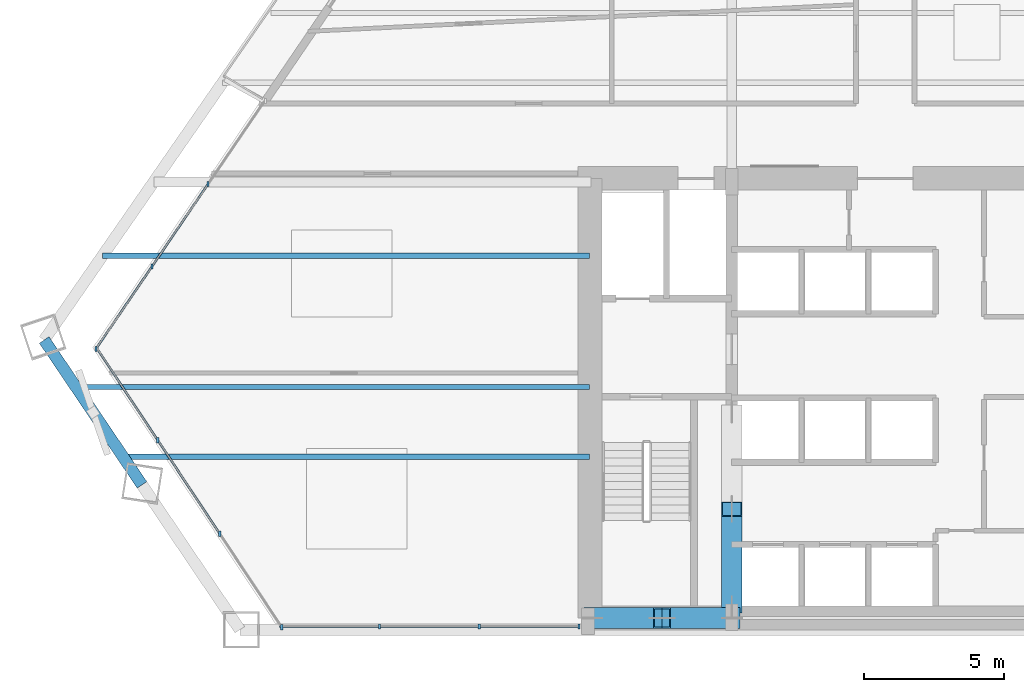
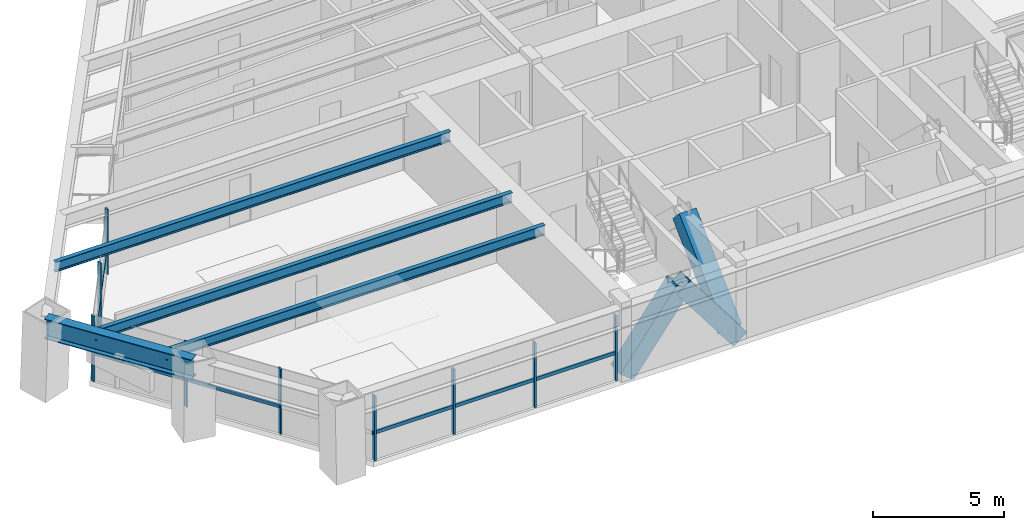
# One storey, part 2 of 14: 19 members, 4 beams, 3 elements without a shape of their own.
"""IFC4 building model written with IfcOpenShell, lengths in metres."""

from ifc_helpers import new_model, si_unit, direction, frame, origin, origin_2d, place, context, subcontext, project, spatial, rectangle, hollow_rectangle, i_section, extrude, source, transform, mapped, material, material_profile, profile_set, type_object, type_shapes, element, aggregate, save


model = new_model("IFC4")

# Units and contexts
model_context = context("Model", 3, precision=1e-05, world=origin(), true_north=direction((0.0, 1.0)))
body_context = subcontext(model_context, "Body", "Model", "MODEL_VIEW")
ifc_project = project(units=[si_unit("LENGTHUNIT", "METRE"), si_unit("AREAUNIT", "SQUARE_METRE"), si_unit("VOLUMEUNIT", "CUBIC_METRE"), si_unit("PLANEANGLEUNIT", "RADIAN"), si_unit("MASSUNIT", "GRAM", prefix="KILO")], contexts=[model_context])

# Site, building, storey
site_placement = place(None, origin())
site = spatial("IfcSite", under=ifc_project, at=site_placement, CompositionType="ELEMENT")
building_placement = place(site_placement, origin())
building = spatial("IfcBuilding", under=site, at=building_placement, Name="Varnakhor Terracotta Tower", CompositionType="ELEMENT")
storey_placement = place(building_placement, frame((0.0, 0.0, 60.800048828125)))
storey = spatial("IfcBuildingStorey", under=building, at=storey_placement, Name="L14", CompositionType="ELEMENT", Elevation=60.800048828125)

# Members
ifc_material_1 = material(Name="Steel S460", Category="steel")
ifc_material_profile_1 = material_profile(ifc_material_1, hollow_rectangle(XDim=0.75, YDim=0.75, WallThickness=0.044921875, at=origin_2d()), Name="HSS750X750X45")
ifc_profile_set_1 = profile_set([ifc_material_profile_1], Name="Steel S460")
member_type_1 = type_object("IfcMemberType", Name="MBR-MEGA-750", PredefinedType="BRACE", material=ifc_profile_set_1)
shared_shape_1 = source(origin(), body_context, "Body", "SweptSolid", [
    extrude(hollow_rectangle(XDim=0.75, YDim=0.75, WallThickness=0.044921875, at=origin_2d()), origin(), (0.0, 0.0, 1.0), 4.14013671875),
])
type_shapes(member_type_1, [shared_shape_1])
for number, where, z_axis, x_axis, name in (
    (1, (-10.5, 0.419921875, 0.0), (0.603852011179, 0.0, 0.797096448741), (0.0, 1.0, 0.0), "L14 Core Coupled Brace CSWA"),
    (2, (-5.5, 0.419921875, 0.0), (-0.603852011179, 0.0, 0.797096448741), (0.0, -1.0, 0.0), "L14 Core Coupled Brace CSWB"),
):
    element("IfcMember", number, at=place(storey_placement, frame(where, z_axis=z_axis, x_axis=x_axis)), inside=storey, type_object=member_type_1, Name=name, PredefinedType="BRACE", context=body_context, shape_type="MappedRepresentation", body=[
        mapped(shared_shape_1, transform((0.0, 0.0, 0.0), scale=1.0)),
    ])
shared_shape_2 = source(origin(), body_context, "Body", "SweptSolid", [
    extrude(hollow_rectangle(XDim=0.75, YDim=0.75, WallThickness=0.044921875, at=origin_2d()), origin(), (0.0, 0.0, 1.0), 4.792236328125),
])
member_1_placement = place(storey_placement, frame((-5.5, 0.85009765625, 0.0), z_axis=(0.0, 0.725110085518, 0.688632967466), x_axis=(-1.0, 0.0, 0.0)))
element("IfcMember", 3, at=member_1_placement, inside=storey, type_object=member_type_1, Name="L14 Core Coupled Brace CWWA", PredefinedType="BRACE", context=body_context, shape_type="MappedRepresentation", body=[
    mapped(shared_shape_2, transform((0.0, 0.0, 0.0), scale=1.0)),
])

# Beams
ifc_material_2 = material(Name="Steel S355", Category="steel")
ifc_material_profile_2 = material_profile(ifc_material_2, i_section(OverallWidth=0.41796875, OverallDepth=0.927001953125, WebThickness=0.01904296875, FlangeThickness=0.031982421875, FilletRadius=0.01806640625, at=origin_2d()), Name="W36X231")
ifc_profile_set_2 = profile_set([ifc_material_profile_2], Name="Steel S355")
beam_type_1 = type_object("IfcBeamType", Name="BM-W36X231", PredefinedType="BEAM", material=ifc_profile_set_2)
shared_shape_3 = source(origin(), body_context, "Body", "SweptSolid", [
    extrude(i_section(OverallWidth=0.41796875, OverallDepth=0.927001953125, WebThickness=0.01904296875, FlangeThickness=0.031982421875, FilletRadius=0.01806640625, at=origin_2d()), origin(), (0.0, 0.0, 1.0), 6.263671875),
])
beam_1_placement = place(storey_placement, frame((-30.135498046875, 10.3828125, 2.986572265625), z_axis=(0.55954782699, -0.828798063047, 0.0), x_axis=(0.828798063047, 0.55954782699, 0.0)))
element("IfcBeam", 4, at=beam_1_placement, inside=storey, type_object=beam_type_1, Name="L14 Perimeter Spandrel 7", PredefinedType="BEAM", context=body_context, shape_type="MappedRepresentation", body=[
    mapped(shared_shape_3, transform((0.0, 0.0, 0.0), scale=1.0)),
])
ifc_material_profile_3 = material_profile(ifc_material_2, i_section(OverallWidth=0.19189453125, OverallDepth=0.462890625, WebThickness=0.010498046875, FlangeThickness=0.017578125, FilletRadius=0.01806640625, at=origin_2d()), Name="W18X60")
ifc_profile_set_3 = profile_set([ifc_material_profile_3], Name="Steel S355")
beam_type_2 = type_object("IfcBeamType", Name="JST-W18X60", PredefinedType="JOIST", material=ifc_profile_set_3)
shared_shape_4 = source(origin(), body_context, "Body", "SweptSolid", [
    extrude(i_section(OverallWidth=0.19189453125, OverallDepth=0.462890625, WebThickness=0.010498046875, FlangeThickness=0.017578125, FilletRadius=0.01806640625, at=origin_2d()), origin(), (0.0, 0.0, 1.0), 16.71142578125),
])
beam_2_placement = place(storey_placement, frame((-27.3115234375, 6.199951171875, 3.218505859375), z_axis=(1.0, 0.0, 0.0), x_axis=(0.0, 1.0, 0.0)))
element("IfcBeam", 5, at=beam_2_placement, inside=storey, type_object=beam_type_2, Name="L14 Floor Joist W1", PredefinedType="JOIST", context=body_context, shape_type="MappedRepresentation", body=[
    mapped(shared_shape_4, transform((0.0, 0.0, 0.0), scale=1.0)),
])
shared_shape_5 = source(origin(), body_context, "Body", "SweptSolid", [
    extrude(i_section(OverallWidth=0.19189453125, OverallDepth=0.462890625, WebThickness=0.010498046875, FlangeThickness=0.017578125, FilletRadius=0.01806640625, at=origin_2d()), origin(), (0.0, 0.0, 1.0), 18.3994140625),
])
beam_3_placement = place(storey_placement, frame((-28.99951171875, 8.699951171875, 3.218505859375), z_axis=(1.0, 0.0, 0.0), x_axis=(0.0, 1.0, 0.0)))
element("IfcBeam", 6, at=beam_3_placement, inside=storey, type_object=beam_type_2, Name="L14 Floor Joist W2", PredefinedType="JOIST", context=body_context, shape_type="MappedRepresentation", body=[
    mapped(shared_shape_5, transform((0.0, 0.0, 0.0), scale=1.0)),
])
shared_shape_6 = source(origin(), body_context, "Body", "SweptSolid", [
    extrude(i_section(OverallWidth=0.19189453125, OverallDepth=0.462890625, WebThickness=0.010498046875, FlangeThickness=0.017578125, FilletRadius=0.01806640625, at=origin_2d()), origin(), (0.0, 0.0, 1.0), 17.4443359375),
])
beam_4_placement = place(storey_placement, frame((-28.04443359375, 13.39990234375, 3.218505859375), z_axis=(1.0, 0.0, 0.0), x_axis=(0.0, 1.0, 0.0)))
element("IfcBeam", 7, at=beam_4_placement, inside=storey, type_object=beam_type_2, Name="L14 Floor Joist W3", PredefinedType="JOIST", context=body_context, shape_type="MappedRepresentation", body=[
    mapped(shared_shape_6, transform((0.0, 0.0, 0.0), scale=1.0)),
])

# Curtain wall, members
ifc_material_3 = material(Name="Anodised Aluminium Curtain Wall System", Category="aluminium")
curtain_wall_type = type_object("IfcCurtainWallType", Name="CW-SYS-LOW-OFFICE", PredefinedType="NOTDEFINED", material=ifc_material_3)
curtain_wall_1_placement = place(storey_placement, origin())
curtain_wall_1 = element("IfcCurtainWall", 8, at=curtain_wall_1_placement, inside=storey, type_object=curtain_wall_type, Name="L14 W Facet Curtain Wall 1", PredefinedType="NOTDEFINED")
ifc_material_4 = material(Name="Anodised Aluminium 6063-T6", Category="aluminium")
ifc_material_profile_4 = material_profile(ifc_material_4, rectangle(XDim=0.074951171875, YDim=0.18505859375, at=origin_2d()), Name="ALU MULLION 75x185")
ifc_profile_set_4 = profile_set([ifc_material_profile_4], Name="Anodised Aluminium 6063-T6")
member_type_2 = type_object("IfcMemberType", Name="CWM-02", PredefinedType="MULLION", material=ifc_profile_set_4)
shared_shape_7 = source(origin(), body_context, "Body", "SweptSolid", [
    extrude(rectangle(XDim=0.074951171875, YDim=0.18505859375, at=origin_2d()), origin(), (0.0, 0.0, 1.0), 3.030029296875),
])
type_shapes(member_type_2, [shared_shape_7])
member_2_placement = place(storey_placement, frame((-28.28564453125, 10.055419921875, 0.0), z_axis=(0.0, 0.0, 1.0), x_axis=(1.0, 0.0, 0.0)))
member_2 = element("IfcMember", 9, at=member_2_placement, type_object=member_type_2, Name="L14 W Facet Curtain Wall 1 Mullion 1", PredefinedType="MULLION", context=body_context, shape_type="MappedRepresentation", body=[
    mapped(shared_shape_7, transform((0.0, 0.0, 0.0), scale=1.0)),
])
member_3_placement = place(storey_placement, frame((-26.272705078125, 13.015625, 0.0), z_axis=(0.0, 0.0, 1.0), x_axis=(1.0, 0.0, 0.0)))
member_3 = element("IfcMember", 10, at=member_3_placement, type_object=member_type_2, Name="L14 W Facet Curtain Wall 1 Mullion 2", PredefinedType="MULLION", context=body_context, shape_type="MappedRepresentation", body=[
    mapped(shared_shape_7, transform((0.0, 0.0, 0.0), scale=1.0)),
])
member_4_placement = place(storey_placement, frame((-24.259521484375, 15.97607421875, 0.0), z_axis=(0.0, 0.0, 1.0), x_axis=(1.0, 0.0, 0.0)))
member_4 = element("IfcMember", 11, at=member_4_placement, type_object=member_type_2, Name="L14 W Facet Curtain Wall 1 Mullion 3", PredefinedType="MULLION", context=body_context, shape_type="MappedRepresentation", body=[
    mapped(shared_shape_7, transform((0.0, 0.0, 0.0), scale=1.0)),
])

curtain_wall_2_placement = place(storey_placement, origin())
curtain_wall_2 = element("IfcCurtainWall", 12, at=curtain_wall_2_placement, inside=storey, type_object=curtain_wall_type, Name="L14 South Wing Curtain Wall SSW", PredefinedType="NOTDEFINED")
member_5_placement = place(storey_placement, frame((-10.969970703125, 0.1201171875, 0.0), z_axis=(0.0, 0.0, 1.0), x_axis=(1.0, 0.0, 0.0)))
member_5 = element("IfcMember", 13, at=member_5_placement, type_object=member_type_2, Name="L14 South Wing Curtain Wall SSW Mullion 1", PredefinedType="MULLION", context=body_context, shape_type="MappedRepresentation", body=[
    mapped(shared_shape_7, transform((0.0, 0.0, 0.0), scale=1.0)),
])
member_6_placement = place(storey_placement, frame((-14.546142578125, 0.1201171875, 0.0), z_axis=(0.0, 0.0, 1.0), x_axis=(1.0, 0.0, 0.0)))
member_6 = element("IfcMember", 14, at=member_6_placement, type_object=member_type_2, Name="L14 South Wing Curtain Wall SSW Mullion 2", PredefinedType="MULLION", context=body_context, shape_type="MappedRepresentation", body=[
    mapped(shared_shape_7, transform((0.0, 0.0, 0.0), scale=1.0)),
])
member_7_placement = place(storey_placement, frame((-18.1220703125, 0.1201171875, 0.0), z_axis=(0.0, 0.0, 1.0), x_axis=(1.0, 0.0, 0.0)))
member_7 = element("IfcMember", 15, at=member_7_placement, type_object=member_type_2, Name="L14 South Wing Curtain Wall SSW Mullion 3", PredefinedType="MULLION", context=body_context, shape_type="MappedRepresentation", body=[
    mapped(shared_shape_7, transform((0.0, 0.0, 0.0), scale=1.0)),
])

curtain_wall_3_placement = place(storey_placement, origin())
curtain_wall_3 = element("IfcCurtainWall", 16, at=curtain_wall_3_placement, inside=storey, type_object=curtain_wall_type, Name="L14 Facet Curtain Wall 6", PredefinedType="NOTDEFINED")
member_8_placement = place(storey_placement, frame((-21.624755859375, 0.09130859375, 0.0), z_axis=(0.0, 0.0, 1.0), x_axis=(1.0, 0.0, 0.0)))
member_8 = element("IfcMember", 17, at=member_8_placement, type_object=member_type_2, Name="L14 Facet Curtain Wall 6 Mullion 1", PredefinedType="MULLION", context=body_context, shape_type="MappedRepresentation", body=[
    mapped(shared_shape_7, transform((0.0, 0.0, 0.0), scale=1.0)),
])
member_9_placement = place(storey_placement, frame((-23.844970703125, 3.440673828125, 0.0), z_axis=(0.0, 0.0, 1.0), x_axis=(1.0, 0.0, 0.0)))
member_9 = element("IfcMember", 18, at=member_9_placement, type_object=member_type_2, Name="L14 Facet Curtain Wall 6 Mullion 2", PredefinedType="MULLION", context=body_context, shape_type="MappedRepresentation", body=[
    mapped(shared_shape_7, transform((0.0, 0.0, 0.0), scale=1.0)),
])
member_10_placement = place(storey_placement, frame((-26.065185546875, 6.7900390625, 0.0), z_axis=(0.0, 0.0, 1.0), x_axis=(1.0, 0.0, 0.0)))
member_10 = element("IfcMember", 19, at=member_10_placement, type_object=member_type_2, Name="L14 Facet Curtain Wall 6 Mullion 3", PredefinedType="MULLION", context=body_context, shape_type="MappedRepresentation", body=[
    mapped(shared_shape_7, transform((0.0, 0.0, 0.0), scale=1.0)),
])

# Member
ifc_material_profile_5 = material_profile(ifc_material_4, rectangle(XDim=0.074951171875, YDim=0.1650390625, at=origin_2d()), Name="ALU TRANSOM 75x165")
ifc_profile_set_5 = profile_set([ifc_material_profile_5], Name="Anodised Aluminium 6063-T6")
member_type_3 = type_object("IfcMemberType", Name="CWT-02", PredefinedType="USERDEFINED", material=ifc_profile_set_5)
shared_shape_8 = source(origin(), body_context, "Body", "SweptSolid", [
    extrude(rectangle(XDim=0.074951171875, YDim=0.1650390625, at=origin_2d()), origin(), (0.0, 0.0, 1.0), 3.579833984375),
])
member_11_placement = place(storey_placement, frame((-28.28564453125, 10.055419921875, 1.2724609375), z_axis=(0.562310021407, 0.82692650207, 0.0), x_axis=(-0.82692650207, 0.562310021407, 0.0)))
member_11 = element("IfcMember", 20, at=member_11_placement, type_object=member_type_3, Name="L14 W Facet Curtain Wall 1 Transom 1", ObjectType="TRANSOM", PredefinedType="USERDEFINED", context=body_context, shape_type="MappedRepresentation", body=[
    mapped(shared_shape_8, transform((0.0, 0.0, 0.0), scale=1.0)),
])

shared_shape_9 = source(origin(), body_context, "Body", "SweptSolid", [
    extrude(rectangle(XDim=0.074951171875, YDim=0.1650390625, at=origin_2d()), origin(), (0.0, 0.0, 1.0), 3.580078125),
])
member_12_placement = place(storey_placement, frame((-26.272705078125, 13.015625, 1.2724609375), z_axis=(0.562324943343, 0.826916354957, 0.0), x_axis=(-0.826916354957, 0.562324943343, 0.0)))
member_12 = element("IfcMember", 21, at=member_12_placement, type_object=member_type_3, Name="L14 W Facet Curtain Wall 1 Transom 2", ObjectType="TRANSOM", PredefinedType="USERDEFINED", context=body_context, shape_type="MappedRepresentation", body=[
    mapped(shared_shape_9, transform((0.0, 0.0, 0.0), scale=1.0)),
])

aggregate(curtain_wall_1, [member_2, member_11, member_3, member_12, member_4])

shared_shape_10 = source(origin(), body_context, "Body", "SweptSolid", [
    extrude(rectangle(XDim=0.074951171875, YDim=0.1650390625, at=origin_2d()), origin(), (0.0, 0.0, 1.0), 3.576171875),
])
member_13_placement = place(storey_placement, frame((-10.969970703125, 0.1201171875, 1.2724609375), z_axis=(-1.0, 0.0, 0.0), x_axis=(0.0, -1.0, 0.0)))
member_13 = element("IfcMember", 22, at=member_13_placement, type_object=member_type_3, Name="L14 South Wing Curtain Wall SSW Transom 1", ObjectType="TRANSOM", PredefinedType="USERDEFINED", context=body_context, shape_type="MappedRepresentation", body=[
    mapped(shared_shape_10, transform((0.0, 0.0, 0.0), scale=1.0)),
])

member_14_placement = place(storey_placement, frame((-18.1220703125, 0.1201171875, 1.2724609375), z_axis=(-1.0, 0.0, 0.0), x_axis=(0.0, -1.0, 0.0)))
member_14 = element("IfcMember", 23, at=member_14_placement, type_object=member_type_3, Name="L14 South Wing Curtain Wall SSW Transom 3", ObjectType="TRANSOM", PredefinedType="USERDEFINED", context=body_context, shape_type="MappedRepresentation", body=[
    mapped(shared_shape_10, transform((0.0, 0.0, 0.0), scale=1.0)),
])

shared_shape_11 = source(origin(), body_context, "Body", "SweptSolid", [
    extrude(rectangle(XDim=0.074951171875, YDim=0.1650390625, at=origin_2d()), origin(), (0.0, 0.0, 1.0), 3.575927734375),
])
member_15_placement = place(storey_placement, frame((-14.546142578125, 0.1201171875, 1.2724609375), z_axis=(-1.0, 0.0, 0.0), x_axis=(0.0, -1.0, 0.0)))
member_15 = element("IfcMember", 24, at=member_15_placement, type_object=member_type_3, Name="L14 South Wing Curtain Wall SSW Transom 2", ObjectType="TRANSOM", PredefinedType="USERDEFINED", context=body_context, shape_type="MappedRepresentation", body=[
    mapped(shared_shape_11, transform((0.0, 0.0, 0.0), scale=1.0)),
])

aggregate(curtain_wall_2, [member_5, member_13, member_6, member_15, member_7, member_14])

shared_shape_12 = source(origin(), body_context, "Body", "SweptSolid", [
    extrude(rectangle(XDim=0.074951171875, YDim=0.1650390625, at=origin_2d()), origin(), (0.0, 0.0, 1.0), 4.018310546875),
])
member_16_placement = place(storey_placement, frame((-23.844970703125, 3.440673828125, 1.2724609375), z_axis=(-0.552511079507, 0.833505553084, 0.0), x_axis=(-0.833505553084, -0.552511079507, 0.0)))
member_16 = element("IfcMember", 25, at=member_16_placement, type_object=member_type_3, Name="L14 Facet Curtain Wall 6 Transom 2", ObjectType="TRANSOM", PredefinedType="USERDEFINED", context=body_context, shape_type="MappedRepresentation", body=[
    mapped(shared_shape_12, transform((0.0, 0.0, 0.0), scale=1.0)),
])

member_17_placement = place(storey_placement, frame((-26.065185546875, 6.7900390625, 1.2724609375), z_axis=(-0.552468868578, 0.83353353217, 0.0), x_axis=(-0.83353353217, -0.552468868578, 0.0)))
member_17 = element("IfcMember", 26, at=member_17_placement, type_object=member_type_3, Name="L14 Facet Curtain Wall 6 Transom 3", ObjectType="TRANSOM", PredefinedType="USERDEFINED", context=body_context, shape_type="MappedRepresentation", body=[
    mapped(shared_shape_12, transform((0.0, 0.0, 0.0), scale=1.0)),
])

aggregate(curtain_wall_3, [member_8, member_9, member_16, member_10, member_17])

save(model, "model.ifc")
